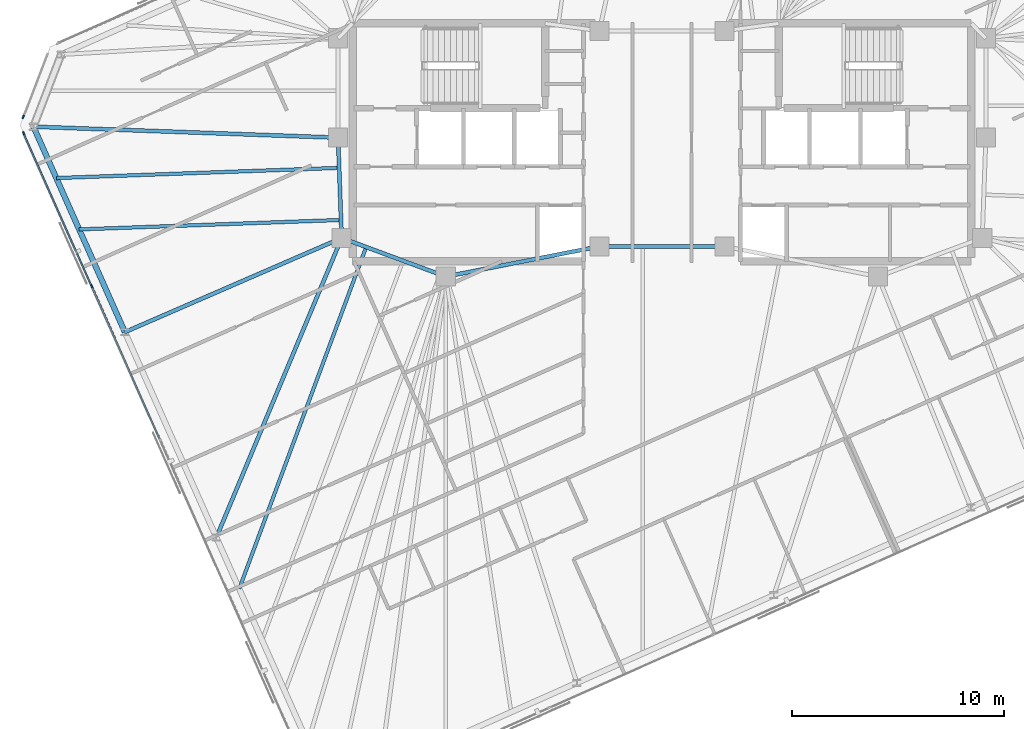
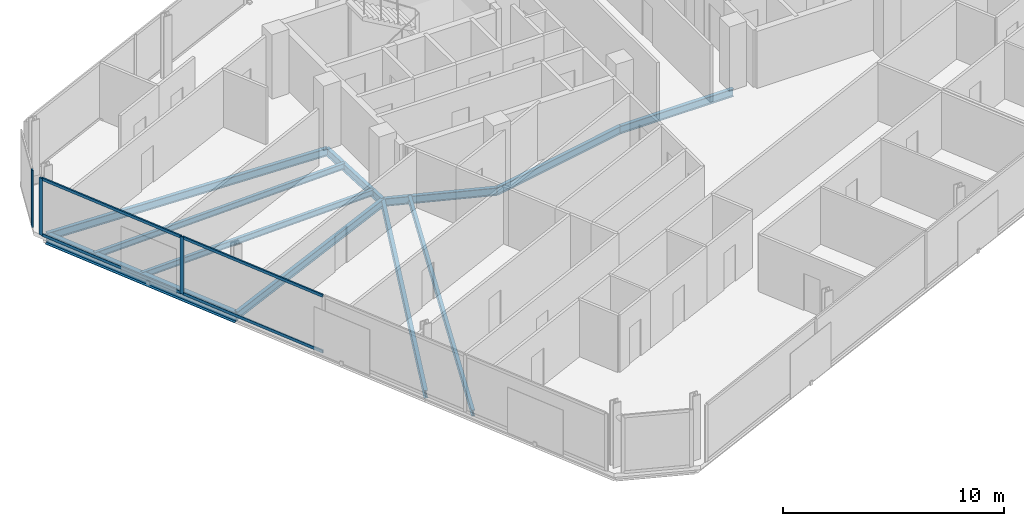
# One storey, part 6 of 19: 11 beams, 7 members, 2 elements without a shape of their own.
"""IFC4 building model written with IfcOpenShell, lengths in metres."""

import ifcopenshell
import ifcopenshell.guid

model = None  # the IFC model being written
_history = None  # IfcOwnerHistory: only IFC2X3 demands one
_inside = {}  # id of a spatial element -> (the spatial element, [elements in it])
_under = {}  # id of a project, library or spatial element -> (it, [spatial elements below it])
_declared = {}  # id of a project -> (the project, [libraries it declares])
_typed = {}  # id of a type object -> (the type object, [elements of that type])
_made_of = {}  # id of a material, layer set ... -> (it, [elements and type objects made of it])


def new_model(schema):
    """Start an empty IFC model of exactly this schema.

    Asked for "IFC4X3", IfcOpenShell would pick the latest addendum, in which some entities
    have other attributes; the version numbers below select the first issue.
    IFC2X3 requires an IfcOwnerHistory on every rooted entity: one is made here for all.
    """
    global model, _history
    if schema == "IFC4X3":
        model = ifcopenshell.file(schema_version=(4, 3, 0, 0))
    else:
        model = ifcopenshell.file(schema=schema)
    _inside.clear()
    _under.clear()
    _declared.clear()
    _typed.clear()
    _made_of.clear()
    _history = None
    if model.schema == "IFC2X3":
        org = make("IfcOrganization", Name="unknown")
        user = make(
            "IfcPersonAndOrganization",
            ThePerson=make("IfcPerson", FamilyName="unknown"),
            TheOrganization=org,
        )
        app = make(
            "IfcApplication",
            ApplicationDeveloper=org,
            Version="unknown",
            ApplicationFullName="unknown",
            ApplicationIdentifier="unknown",
        )
        _history = make(
            "IfcOwnerHistory",
            OwningUser=user,
            OwningApplication=app,
            ChangeAction="ADDED",
            CreationDate=0,
        )
    return model


def make(cls, **values):
    """One entity of the class cls with the attributes given. An attribute that is None is left unset."""
    return model.create_entity(
        cls, **{name: value for name, value in values.items() if value is not None}
    )


def rooted(cls, **values):
    """An entity with a GlobalId (a new one), such as an element, a storey or a relation."""
    return make(cls, GlobalId=ifcopenshell.guid.new(), OwnerHistory=_history, **values)


def si_unit(unit_type, name, prefix=None):
    """IfcSIUnit, for example si_unit("LENGTHUNIT", "METRE", prefix="MILLI")."""
    return make("IfcSIUnit", UnitType=unit_type, Prefix=prefix, Name=name)


def assignment(units):
    """IfcUnitAssignment: the units of a project."""
    return None if units is None else make("IfcUnitAssignment", Units=units)


def point(xyz):
    """IfcCartesianPoint."""
    return None if xyz is None else make("IfcCartesianPoint", Coordinates=xyz)


def direction(xyz):
    """IfcDirection."""
    return None if xyz is None else make("IfcDirection", DirectionRatios=xyz)


def frame(location, z_axis=None, x_axis=None):
    """IfcAxis2Placement3D, a coordinate frame: its origin and axes. An axis left out is left unset."""
    return make(
        "IfcAxis2Placement3D",
        Location=point(location),
        Axis=direction(z_axis),
        RefDirection=direction(x_axis),
    )


def frame_2d(location, x_axis=None):
    """IfcAxis2Placement2D, a coordinate frame in the plane: its origin and x axis."""
    return make(
        "IfcAxis2Placement2D", Location=point(location), RefDirection=direction(x_axis)
    )


def origin():
    """The frame at (0, 0, 0) with its axes left unset."""
    return frame((0.0, 0.0, 0.0))


def origin_2d():
    """The frame at (0, 0) in the plane with its x axis left unset."""
    return frame_2d((0.0, 0.0))


def place(relative_to, where):
    """IfcLocalPlacement: puts the frame where relative to a parent placement (None: the world)."""
    return make(
        "IfcLocalPlacement", PlacementRelTo=relative_to, RelativePlacement=where
    )


def context(
    kind, dimensions, precision=None, world=None, true_north=None, identifier=None
):
    """IfcGeometricRepresentationContext, for example the 3D "Model" context."""
    return make(
        "IfcGeometricRepresentationContext",
        ContextIdentifier=identifier,
        ContextType=kind,
        CoordinateSpaceDimension=dimensions,
        Precision=precision,
        WorldCoordinateSystem=world,
        TrueNorth=true_north,
    )


def subcontext(parent, identifier, kind, view, scale=None):
    """IfcGeometricRepresentationSubContext, for example "Body" below "Model"."""
    return make(
        "IfcGeometricRepresentationSubContext",
        ContextIdentifier=identifier,
        ContextType=kind,
        ParentContext=parent,
        TargetScale=scale,
        TargetView=view,
    )


def project(units=None, contexts=None):
    """IfcProject with its units and contexts."""
    return rooted(
        "IfcProject",
        Name="project",
        RepresentationContexts=contexts,
        UnitsInContext=assignment(units),
    )


def spatial(cls, under=None, at=None, **own):
    """A site, building, storey or space (cls), placed at a placement, below another one or the project."""
    s = rooted(cls, ObjectPlacement=at, **own)
    if under is not None:
        _under.setdefault(under.id(), (under, []))[1].append(s)
    return s


def profile(cls, at=None, kind="AREA", **sizes):
    """A parametric profile (cls). Its sizes go by their IFC names, for example OverallWidth=200.0."""
    return make(cls, ProfileType=kind, Position=at, **sizes)


def rectangle(**sizes):
    """IfcRectangleProfileDef."""
    return profile("IfcRectangleProfileDef", **sizes)


def i_section(**sizes):
    """IfcIShapeProfileDef."""
    return profile("IfcIShapeProfileDef", **sizes)


def extrude(swept, where, along, depth):
    """IfcExtrudedAreaSolid: the profile swept, set in the frame where, extruded along a direction by depth."""
    return make(
        "IfcExtrudedAreaSolid",
        SweptArea=swept,
        Position=where,
        ExtrudedDirection=direction(along),
        Depth=depth,
    )


def shape(context_of_items, identifier, shape_type, items):
    """IfcShapeRepresentation: the items that make up one representation, for example the "Body"."""
    return make(
        "IfcShapeRepresentation",
        ContextOfItems=context_of_items,
        RepresentationIdentifier=identifier,
        RepresentationType=shape_type,
        Items=items,
    )


def material(Name=None, Category=None):
    """IfcMaterial."""
    return make("IfcMaterial", Name=Name, Category=Category)


def material_profile(
    of_material, cross_section, Name=None, Category=None, Priority=None
):
    """IfcMaterialProfile: a cross section and its material."""
    return make(
        "IfcMaterialProfile",
        Name=Name,
        Material=of_material,
        Profile=cross_section,
        Priority=Priority,
        Category=Category,
    )


def profile_set(profiles, Name=None, composite=None):
    """IfcMaterialProfileSet."""
    return make(
        "IfcMaterialProfileSet",
        Name=Name,
        MaterialProfiles=profiles,
        CompositeProfile=composite,
    )


def made_of(thing, what):
    """Note that an element or type object is made of a material, layer set ...; save() writes the relation."""
    if what is not None:
        _made_of.setdefault(what.id(), (what, []))[1].append(thing)
    return thing


def type_object(cls, material=None, **own):
    """A type object (cls), such as IfcWallType, which elements share."""
    return made_of(rooted(cls, **own), material)


def element(
    cls,
    number,
    at=None,
    inside=None,
    cuts=None,
    type_object=None,
    material=None,
    context=None,
    identifier="Body",
    shape_type=None,
    held_by="IfcProductDefinitionShape",
    body=None,
    shapes=None,
    **own,
):
    """One element of the class cls, such as IfcWall. Its Tag is "e" and its number.

    at: its placement. inside: the storey or other place that contains it. cuts: it is an
    opening in that element (IfcRelVoidsElement). A single representation is given by context,
    identifier, shape_type and body (its items); several are given by shapes. held_by: the class
    of the entity that holds the representations. save() writes the other relations.
    """
    e = rooted(cls, Tag="e%d" % number, ObjectPlacement=at, **own)
    if body is not None:
        shapes = [shape(context, identifier, shape_type, body)]
    if shapes is not None:
        e.Representation = make(held_by, Representations=shapes)
    if inside is not None:
        _inside.setdefault(inside.id(), (inside, []))[1].append(e)
    if cuts is not None:
        rooted(
            "IfcRelVoidsElement", RelatingBuildingElement=cuts, RelatedOpeningElement=e
        )
    if type_object is not None:
        _typed.setdefault(type_object.id(), (type_object, []))[1].append(e)
    return made_of(e, material)


def aggregate(whole, parts):
    """IfcRelAggregates: a whole, such as a stair, and the parts it consists of."""
    return rooted("IfcRelAggregates", RelatingObject=whole, RelatedObjects=parts)


def save(model, path):
    """Write the relations noted so far, then the file.

    IfcRelAggregates (storeys below a building ...), IfcRelContainedInSpatialStructure (elements
    in a storey), IfcRelDefinesByType, IfcRelAssociatesMaterial and IfcRelDeclares: one each for
    every whole, place, type object, material and project.
    """
    for whole, parts in _under.values():
        aggregate(whole, parts)
    for where, things in _inside.values():
        rooted(
            "IfcRelContainedInSpatialStructure",
            RelatedElements=things,
            RelatingStructure=where,
        )
    for kind, things in _typed.values():
        rooted("IfcRelDefinesByType", RelatedObjects=things, RelatingType=kind)
    for what, things in _made_of.values():
        rooted("IfcRelAssociatesMaterial", RelatedObjects=things, RelatingMaterial=what)
    for by, libraries in _declared.values():
        rooted("IfcRelDeclares", RelatingContext=by, RelatedDefinitions=libraries)
    model.write(path)


model = new_model("IFC4")

# Units and contexts
model_context = context("Model", 3, precision=1e-05, world=origin(), true_north=direction((0.0, 1.0)))
body_context = subcontext(model_context, "Body", "Model", "MODEL_VIEW")
ifc_project = project(units=[si_unit("LENGTHUNIT", "METRE"), si_unit("AREAUNIT", "SQUARE_METRE"), si_unit("VOLUMEUNIT", "CUBIC_METRE"), si_unit("PLANEANGLEUNIT", "RADIAN"), si_unit("MASSUNIT", "GRAM", prefix="KILO")], contexts=[model_context])

# Site, building, storey
site_placement = place(None, origin())
site = spatial("IfcSite", under=ifc_project, at=site_placement, CompositionType="ELEMENT")
building_placement = place(site_placement, origin())
building = spatial("IfcBuilding", under=site, at=building_placement, Name="Menara Jurai Vektor", CompositionType="ELEMENT")
storey_placement = place(building_placement, frame((0.0, 0.0, 302.0)))
storey = spatial("IfcBuildingStorey", under=building, at=storey_placement, Name="L81", CompositionType="ELEMENT", Elevation=302.0)

# Curtain wall, member
ifc_material_1 = material(Name="Anodised Pale Aluminium & Low-E Double Glazing", Category="aluminium")
curtain_wall_type = type_object("IfcCurtainWallType", Name="CW-BLK5", PredefinedType="NOTDEFINED", material=ifc_material_1)
curtain_wall_1_placement = place(storey_placement, origin())
curtain_wall_1 = element("IfcCurtainWall", 1, at=curtain_wall_1_placement, inside=storey, type_object=curtain_wall_type, Name="Unitised Curtain Wall L81 F06", PredefinedType="NOTDEFINED")
ifc_material_2 = material(Name="Anodised Pale Aluminium Mullion", Category="aluminium")
ifc_material_profile_1 = material_profile(ifc_material_2, rectangle(XDim=0.074951171875, YDim=0.175048828125, at=origin_2d()), Name="ALU MUL 75x175")
ifc_profile_set_1 = profile_set([ifc_material_profile_1], Name="Anodised Pale Aluminium Mullion")
member_type_1 = type_object("IfcMemberType", Name="CW-BLK5-MUL", PredefinedType="MULLION", material=ifc_profile_set_1)
member_1_placement = place(storey_placement, frame((-30.075439453125, 1.197265625, 0.0), z_axis=(0.0, 0.0, 1.0), x_axis=(0.933578193639, -0.358373766287, 0.0)))
member_1 = element("IfcMember", 2, at=member_1_placement, type_object=member_type_1, Name="CW-05 mullion 2", PredefinedType="MULLION", context=body_context, shape_type="SweptSolid", body=[
    extrude(rectangle(XDim=0.074951171875, YDim=0.175048828125, at=origin_2d()), origin(), (0.0, 0.0, 1.0), 3.14501953125),
])
aggregate(curtain_wall_1, [member_1])

# Curtain wall, members
curtain_wall_2_placement = place(storey_placement, origin())
curtain_wall_2 = element("IfcCurtainWall", 3, at=curtain_wall_2_placement, inside=storey, type_object=curtain_wall_type, Name="Unitised Curtain Wall L81 F07", PredefinedType="NOTDEFINED")
member_2_placement = place(storey_placement, frame((-30.055419921875, 0.426025390625, 0.0), z_axis=(0.0, 0.0, 1.0), x_axis=(0.913546127706, 0.406735138086, 0.0)))
member_2 = element("IfcMember", 4, at=member_2_placement, type_object=member_type_1, Name="CW-05 mullion 1", PredefinedType="MULLION", context=body_context, shape_type="SweptSolid", body=[
    extrude(rectangle(XDim=0.074951171875, YDim=0.175048828125, at=origin_2d()), origin(), (0.0, 0.0, 1.0), 3.14501953125),
])
member_3_placement = place(storey_placement, frame((-26.853271484375, -6.765869140625, 0.0), z_axis=(0.0, 0.0, 1.0), x_axis=(0.913546127706, 0.406735138086, 0.0)))
member_3 = element("IfcMember", 5, at=member_3_placement, type_object=member_type_1, Name="CW-05 mullion 2", PredefinedType="MULLION", context=body_context, shape_type="SweptSolid", body=[
    extrude(rectangle(XDim=0.074951171875, YDim=0.175048828125, at=origin_2d()), origin(), (0.0, 0.0, 1.0), 3.14501953125),
])
ifc_material_3 = material(Name="Anodised Pale Aluminium Transom", Category="aluminium")
ifc_material_profile_2 = material_profile(ifc_material_3, rectangle(XDim=0.074951171875, YDim=0.155029296875, at=origin_2d()), Name="ALU TRN 75x155")
ifc_profile_set_2 = profile_set([ifc_material_profile_2], Name="Anodised Pale Aluminium Transom")
member_type_2 = type_object("IfcMemberType", Name="CW-BLK5-TRN", PredefinedType="USERDEFINED", material=ifc_profile_set_2)
member_4_placement = place(storey_placement, frame((-30.0400390625, 0.391845703125, 0.03759765625), z_axis=(0.406713581109, -0.913555725143, 0.0), x_axis=(0.913555725143, 0.406713581109, 0.0)))
member_4 = element("IfcMember", 6, at=member_4_placement, type_object=member_type_2, Name="CW-05 transom 1.1", ObjectType="TRANSOM", PredefinedType="USERDEFINED", context=body_context, shape_type="SweptSolid", body=[
    extrude(rectangle(XDim=0.074951171875, YDim=0.155029296875, at=origin_2d()), origin(), (0.0, 0.0, 1.0), 7.797607421875),
])
member_5_placement = place(storey_placement, frame((-30.0400390625, 0.391845703125, 3.107421875), z_axis=(0.406713581109, -0.913555725143, 0.0), x_axis=(0.913555725143, 0.406713581109, 0.0)))
member_5 = element("IfcMember", 7, at=member_5_placement, type_object=member_type_2, Name="CW-05 transom 1.2", ObjectType="TRANSOM", PredefinedType="USERDEFINED", context=body_context, shape_type="SweptSolid", body=[
    extrude(rectangle(XDim=0.074951171875, YDim=0.155029296875, at=origin_2d()), origin(), (0.0, 0.0, 1.0), 7.797607421875),
])
member_6_placement = place(storey_placement, frame((-26.838134765625, -6.800048828125, 0.03759765625), z_axis=(0.406731062496, -0.913547942256, 0.0), x_axis=(0.913547942256, 0.406731062496, 0.0)))
member_6 = element("IfcMember", 8, at=member_6_placement, type_object=member_type_2, Name="CW-05 transom 2.1", ObjectType="TRANSOM", PredefinedType="USERDEFINED", context=body_context, shape_type="SweptSolid", body=[
    extrude(rectangle(XDim=0.074951171875, YDim=0.155029296875, at=origin_2d()), origin(), (0.0, 0.0, 1.0), 7.8349609375),
])
member_7_placement = place(storey_placement, frame((-26.838134765625, -6.800048828125, 3.107421875), z_axis=(0.406731062496, -0.913547942256, 0.0), x_axis=(0.913547942256, 0.406731062496, 0.0)))
member_7 = element("IfcMember", 9, at=member_7_placement, type_object=member_type_2, Name="CW-05 transom 2.2", ObjectType="TRANSOM", PredefinedType="USERDEFINED", context=body_context, shape_type="SweptSolid", body=[
    extrude(rectangle(XDim=0.074951171875, YDim=0.155029296875, at=origin_2d()), origin(), (0.0, 0.0, 1.0), 7.8349609375),
])
aggregate(curtain_wall_2, [member_2, member_3, member_4, member_5, member_6, member_7])

# Beams
ifc_material_4 = material(Name="Steel S355", Category="steel")
ifc_material_profile_3 = material_profile(ifc_material_4, i_section(OverallWidth=0.18505859375, OverallDepth=0.429931640625, WebThickness=0.010986328125, FlangeThickness=0.01806640625, at=origin_2d()), Name="PG 430x185x76")
ifc_profile_set_3 = profile_set([ifc_material_profile_3], Name="Steel S355")
beam_type_1 = type_object("IfcBeamType", Name="STR-BM-430", PredefinedType="BEAM", material=ifc_profile_set_3)
beam_1_placement = place(storey_placement, frame((-15.080078125, -4.5, -0.43994140625), z_axis=(-0.035977314146, 0.999352606874, 0.0), x_axis=(-0.999352606874, -0.035977314146, 0.0)))
element("IfcBeam", 10, at=beam_1_placement, inside=storey, type_object=beam_type_1, Name="Core Ring Header Girder L81-CHW-W2", PredefinedType="BEAM", context=body_context, shape_type="SweptSolid", body=[
    extrude(i_section(OverallWidth=0.18505859375, OverallDepth=0.429931640625, WebThickness=0.010986328125, FlangeThickness=0.01806640625, at=origin_2d()), origin(), (0.0, 0.0, 1.0), 4.72314453125),
])
beam_2_placement = place(storey_placement, frame((-15.080078125, -4.5, -0.43994140625), z_axis=(0.937424400887, -0.348188874925, 0.0), x_axis=(0.348188874925, 0.937424400887, 0.0)))
element("IfcBeam", 11, at=beam_2_placement, inside=storey, type_object=beam_type_1, Name="Core Ring Header Girder L81-CHW-S1", PredefinedType="BEAM", context=body_context, shape_type="SweptSolid", body=[
    extrude(i_section(OverallWidth=0.18505859375, OverallDepth=0.429931640625, WebThickness=0.010986328125, FlangeThickness=0.01806640625, at=origin_2d()), origin(), (0.0, 0.0, 1.0), 5.227294921875),
])
beam_3_placement = place(storey_placement, frame((-10.179931640625, -6.320068359375, -0.43994140625), z_axis=(0.981249044334, 0.192744164614, 0.0), x_axis=(-0.192744164614, 0.981249044334, 0.0)))
element("IfcBeam", 12, at=beam_3_placement, inside=storey, type_object=beam_type_1, Name="Core Ring Header Girder L81-CHW-S2", PredefinedType="BEAM", context=body_context, shape_type="SweptSolid", body=[
    extrude(i_section(OverallWidth=0.18505859375, OverallDepth=0.429931640625, WebThickness=0.010986328125, FlangeThickness=0.01806640625, at=origin_2d()), origin(), (0.0, 0.0, 1.0), 7.3681640625),
])
beam_4_placement = place(storey_placement, frame((-2.949951171875, -4.89990234375, -0.43994140625), z_axis=(1.0, 0.0, 0.0), x_axis=(0.0, 1.0, 0.0)))
element("IfcBeam", 13, at=beam_4_placement, inside=storey, type_object=beam_type_1, Name="Core Ring Header Girder L81-CC-1", PredefinedType="BEAM", context=body_context, shape_type="SweptSolid", body=[
    extrude(i_section(OverallWidth=0.18505859375, OverallDepth=0.429931640625, WebThickness=0.010986328125, FlangeThickness=0.01806640625, at=origin_2d()), origin(), (0.0, 0.0, 1.0), 5.89990234375),
])
beam_5_placement = place(storey_placement, frame((-29.591796875, 0.73681640625, -0.43994140625), z_axis=(0.999351273077, -0.03601434436, 0.0), x_axis=(0.03601434436, 0.999351273077, 0.0)))
element("IfcBeam", 14, at=beam_5_placement, inside=storey, type_object=beam_type_1, Name="Radial Floor Girder L81-W1", PredefinedType="BEAM", context=body_context, shape_type="SweptSolid", body=[
    extrude(i_section(OverallWidth=0.18505859375, OverallDepth=0.429931640625, WebThickness=0.010986328125, FlangeThickness=0.01806640625, at=origin_2d()), origin(), (0.0, 0.0, 1.0), 14.35107421875),
])
beam_6_placement = place(storey_placement, frame((-25.286376953125, -8.933349609375, -0.43994140625), z_axis=(0.917207084259, 0.398410798781, 0.0), x_axis=(-0.398410798781, 0.917207084259, 0.0)))
element("IfcBeam", 15, at=beam_6_placement, inside=storey, type_object=beam_type_1, Name="Radial Floor Girder L81-W2", PredefinedType="BEAM", context=body_context, shape_type="SweptSolid", body=[
    extrude(i_section(OverallWidth=0.18505859375, OverallDepth=0.429931640625, WebThickness=0.010986328125, FlangeThickness=0.01806640625, at=origin_2d()), origin(), (0.0, 0.0, 1.0), 11.127685546875),
])
beam_7_placement = place(storey_placement, frame((-20.98095703125, -18.603271484375, -0.43994140625), z_axis=(0.38598134247, 0.922506587112, 0.0), x_axis=(-0.922506587112, 0.38598134247, 0.0)))
element("IfcBeam", 16, at=beam_7_placement, inside=storey, type_object=beam_type_1, Name="Radial Floor Girder L81-W3", PredefinedType="BEAM", context=body_context, shape_type="SweptSolid", body=[
    extrude(i_section(OverallWidth=0.18505859375, OverallDepth=0.429931640625, WebThickness=0.010986328125, FlangeThickness=0.01806640625, at=origin_2d()), origin(), (0.0, 0.0, 1.0), 15.2880859375),
])
ifc_material_profile_4 = material_profile(ifc_material_4, i_section(OverallWidth=0.1650390625, OverallDepth=0.330078125, WebThickness=0.009033203125, FlangeThickness=0.013916015625, at=origin_2d()), Name="PG 330x165x46")
ifc_profile_set_4 = profile_set([ifc_material_profile_4], Name="Steel S355")
beam_type_2 = type_object("IfcBeamType", Name="STR-JS-330", PredefinedType="JOIST", material=ifc_profile_set_4)
beam_8_placement = place(storey_placement, frame((-28.515380859375, -1.6806640625, -0.389892578125), z_axis=(0.999352378837, 0.035983647851, 0.0), x_axis=(-0.035983647851, 0.999352378837, 0.0)))
element("IfcBeam", 17, at=beam_8_placement, inside=storey, type_object=beam_type_2, Name="Radial Secondary Floor Joist L81-JS26", PredefinedType="JOIST", context=body_context, shape_type="SweptSolid", body=[
    extrude(i_section(OverallWidth=0.1650390625, OverallDepth=0.330078125, WebThickness=0.009033203125, FlangeThickness=0.013916015625, at=origin_2d()), origin(), (0.0, 0.0, 1.0), 13.3251953125),
])
beam_9_placement = place(storey_placement, frame((-27.43896484375, -4.09814453125, -0.389892578125), z_axis=(0.999352552329, 0.03597882924, 0.0), x_axis=(-0.03597882924, 0.999352552329, 0.0)))
element("IfcBeam", 18, at=beam_9_placement, inside=storey, type_object=beam_type_2, Name="Radial Secondary Floor Joist L81-JS27", PredefinedType="JOIST", context=body_context, shape_type="SweptSolid", body=[
    extrude(i_section(OverallWidth=0.1650390625, OverallDepth=0.330078125, WebThickness=0.009033203125, FlangeThickness=0.013916015625, at=origin_2d()), origin(), (0.0, 0.0, 1.0), 12.33642578125),
])
beam_10_placement = place(storey_placement, frame((-19.904541015625, -21.020751953125, -0.389892578125), z_axis=(0.348190100331, 0.937423945732, 0.0), x_axis=(-0.937423945732, 0.348190100331, 0.0)))
element("IfcBeam", 19, at=beam_10_placement, inside=storey, type_object=beam_type_2, Name="Radial Secondary Floor Joist L81-JS28", PredefinedType="JOIST", context=body_context, shape_type="SweptSolid", body=[
    extrude(i_section(OverallWidth=0.1650390625, OverallDepth=0.330078125, WebThickness=0.009033203125, FlangeThickness=0.013916015625, at=origin_2d()), origin(), (0.0, 0.0, 1.0), 17.166748046875),
])
ifc_material_profile_5 = material_profile(ifc_material_4, i_section(OverallWidth=0.260009765625, OverallDepth=0.570068359375, WebThickness=0.013916015625, FlangeThickness=0.02392578125, at=origin_2d()), Name="PG 570x260x145")
ifc_profile_set_5 = profile_set([ifc_material_profile_5], Name="Steel S355")
beam_type_3 = type_object("IfcBeamType", Name="STR-SP-570", PredefinedType="SPANDREL", material=ifc_profile_set_5)
beam_11_placement = place(storey_placement, frame((-29.591796875, 0.73681640625, -0.510009765625), z_axis=(0.40673543049, -0.91354599752, 0.0), x_axis=(0.91354599752, 0.40673543049, 0.0)))
element("IfcBeam", 20, at=beam_11_placement, inside=storey, type_object=beam_type_3, Name="Exoskeleton Spandrel Beam L81-17", PredefinedType="SPANDREL", context=body_context, shape_type="SweptSolid", body=[
    extrude(i_section(OverallWidth=0.260009765625, OverallDepth=0.570068359375, WebThickness=0.013916015625, FlangeThickness=0.02392578125, at=origin_2d()), origin(), (0.0, 0.0, 1.0), 10.585205078125),
])

save(model, "model.ifc")
